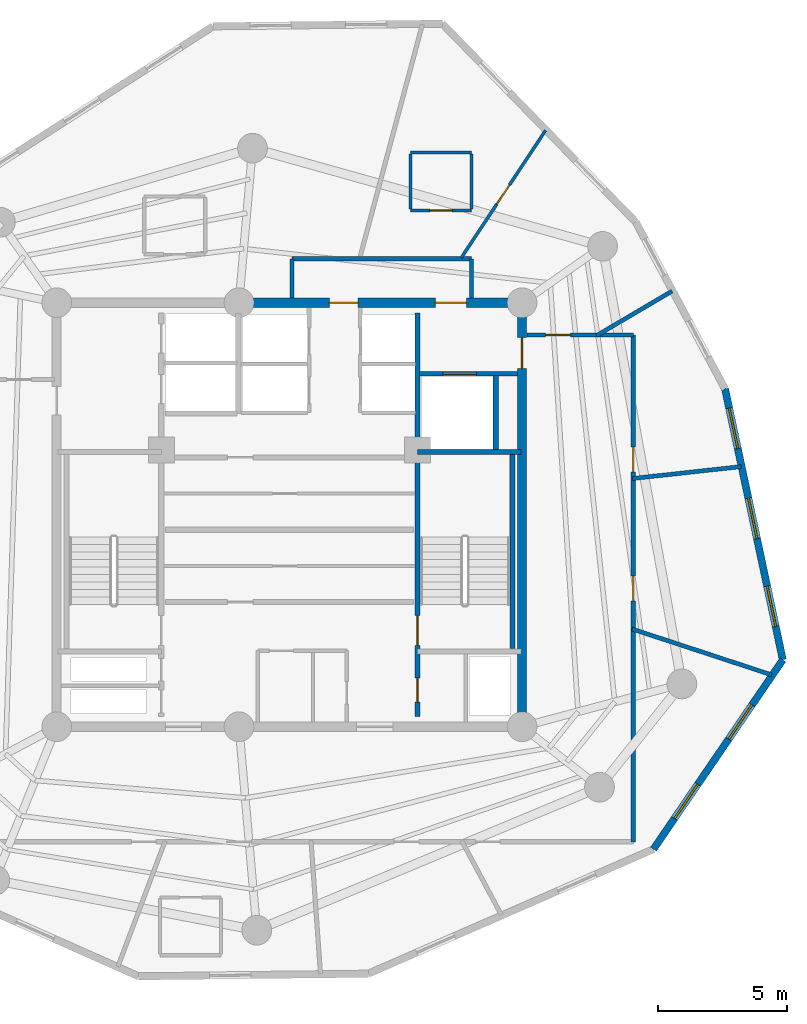
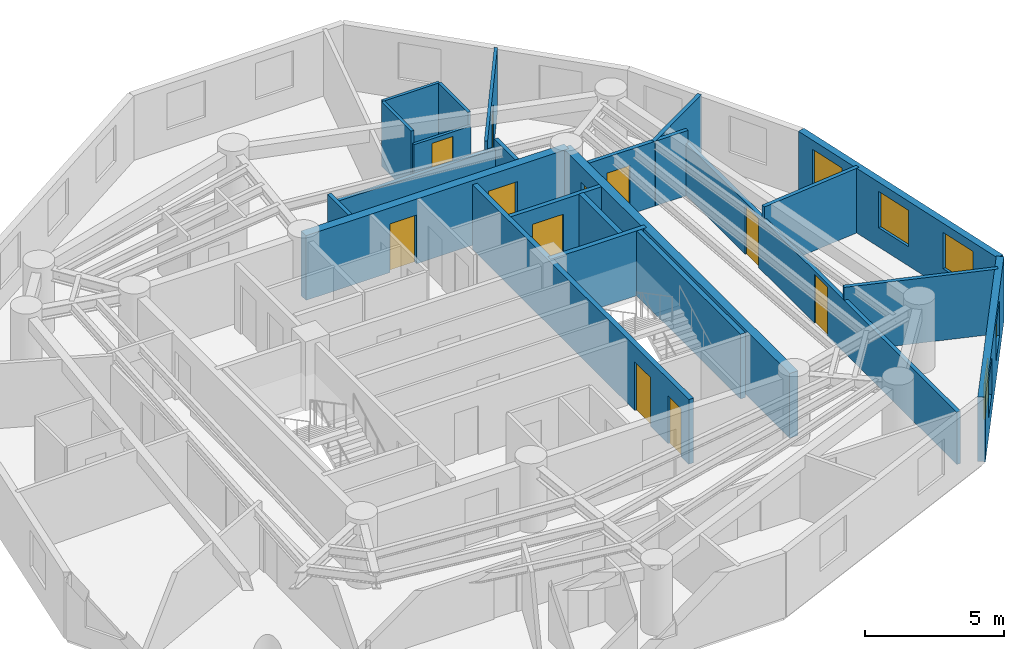
# One storey, part 5 of 7: 22 walls, 11 doors, 5 windows, 16 openings.
"""IFC4 building model written with IfcOpenShell, lengths in metres."""

from ifc_helpers import new_model, si_unit, direction, frame, frame_2d, origin, origin_with_axes, place, context, subcontext, project, spatial, rectangle, extrude, source, transform, mapped, material, layer, layer_set, type_object, element, fill, save


model = new_model("IFC4")

# Units and contexts
model_context = context("Model", 3, precision=1e-05, world=origin(), true_north=direction((0.0, 1.0)))
body_context = subcontext(model_context, "Body", "Model", "MODEL_VIEW")
ifc_project = project(units=[si_unit("LENGTHUNIT", "METRE"), si_unit("AREAUNIT", "SQUARE_METRE"), si_unit("VOLUMEUNIT", "CUBIC_METRE"), si_unit("PLANEANGLEUNIT", "RADIAN"), si_unit("MASSUNIT", "GRAM", prefix="KILO")], contexts=[model_context])

# Site, building, storey
site_placement = place(None, origin())
site = spatial("IfcSite", under=ifc_project, at=site_placement, CompositionType="ELEMENT")
building_placement = place(site_placement, origin())
building = spatial("IfcBuilding", under=site, at=building_placement, Name="Karkom Vertical University and Central Library", CompositionType="ELEMENT")
storey_placement = place(building_placement, frame((0.0, 0.0, 256.550048828125)))
storey = spatial("IfcBuildingStorey", under=building, at=storey_placement, Name="L76", CompositionType="ELEMENT", Elevation=256.550048828125)

# Wall, openings, windows
ifc_material_1 = material(Name="Brick-faced precast concrete C45/55", Category="masonry")
ifc_layer_1 = layer(ifc_material_1, 0.280029296875)
ifc_layer_set_1 = layer_set([ifc_layer_1], Name="Brick-faced precast concrete C45/55")
wall_type_1 = type_object("IfcWallType", Name="ENV-WL-BRK-280", PredefinedType="SOLIDWALL", material=ifc_layer_set_1)
wall_1_placement = place(storey_placement, frame((42.583740234375, 13.56298828125, 0.0), z_axis=(0.0, 0.0, 1.0), x_axis=(0.564007879962, 0.82576940567, 0.0)))
wall_1 = element("IfcWall", 1, at=wall_1_placement, inside=storey, type_object=wall_type_1, Name="Level 76 Brick-Faced Precast Facade Wall 05", PredefinedType="SOLIDWALL", context=body_context, shape_type="SweptSolid", body=[
    extrude(rectangle(XDim=8.870849609375, YDim=0.280029296875, at=frame_2d((4.435546875, 0.0))), origin(), (0.0, 0.0, 1.0), 2.849853515625),
])
opening_1_placement = place(wall_1_placement, frame((1.439208984375, 0.0, 0.85009765625)))
opening_1 = element("IfcOpeningElement", 2, at=opening_1_placement, cuts=wall_1, Name="Opening WN-10", PredefinedType="OPENING", context=body_context, shape_type="SweptSolid", body=[
    extrude(rectangle(XDim=1.60009765625, YDim=1.60009765625, at=frame_2d((0.800048828125, 0.800048828125))), frame((0.0, 0.14990234375, 0.0), z_axis=(0.0, -1.0, 0.0), x_axis=(1.0, 0.0, 0.0)), (0.0, 0.0, 1.0), 0.300048828125),
])
opening_2_placement = place(wall_1_placement, frame((5.1572265625, 0.0, 0.85009765625)))
opening_2 = element("IfcOpeningElement", 3, at=opening_2_placement, cuts=wall_1, Name="Opening WN-10", PredefinedType="OPENING", context=body_context, shape_type="SweptSolid", body=[
    extrude(rectangle(XDim=1.60009765625, YDim=1.60009765625, at=frame_2d((0.800048828125, 0.800048828125))), frame((0.0, 0.14990234375, 0.0), z_axis=(0.0, -1.0, 0.0), x_axis=(1.0, 0.0, 0.0)), (0.0, 0.0, 1.0), 0.300048828125),
])
ifc_material_2 = material(Name="Aluminium thermal-break frame with solar-control IGU", Category="aluminium")
window_type = type_object("IfcWindowType", Name="ENV-WIN-WN-10", PartitioningType="SINGLE_PANEL", PredefinedType="WINDOW", material=ifc_material_2)
shared_shape_1 = source(origin_with_axes(), body_context, "Body", "SweptSolid", [
    extrude(rectangle(XDim=1.60009765625, YDim=1.60009765625, at=frame_2d((0.800048828125, 0.800048828125))), frame((0.0, 0.030029296875, 0.0), z_axis=(0.0, -1.0, 0.0), x_axis=(1.0, 0.0, 0.0)), (0.0, 0.0, 1.0), 0.06005859375),
])
window_1_placement = place(opening_1_placement, origin())
window_1 = element("IfcWindow", 4, at=window_1_placement, inside=storey, type_object=window_type, Name="Level 76 Punched Window 5.1", OverallHeight=1.60009765625, OverallWidth=1.60009765625, PartitioningType="SINGLE_PANEL", PredefinedType="WINDOW", context=body_context, shape_type="MappedRepresentation", body=[
    mapped(shared_shape_1, transform((0.0, 0.0, 0.0), scale=1.0)),
])
fill(opening_1, window_1)
window_2_placement = place(opening_2_placement, origin())
window_2 = element("IfcWindow", 5, at=window_2_placement, inside=storey, type_object=window_type, Name="Level 76 Punched Window 5.2", OverallHeight=1.60009765625, OverallWidth=1.60009765625, PartitioningType="SINGLE_PANEL", PredefinedType="WINDOW", context=body_context, shape_type="MappedRepresentation", body=[
    mapped(shared_shape_1, transform((0.0, 0.0, 0.0), scale=1.0)),
])
fill(opening_2, window_2)

wall_2_placement = place(storey_placement, frame((47.5869140625, 20.88818359375, 0.0), z_axis=(0.0, 0.0, 1.0), x_axis=(-0.208460422932, 0.978030803232, 0.0)))
wall_2 = element("IfcWall", 6, at=wall_2_placement, inside=storey, type_object=wall_type_1, Name="Level 76 Brick-Faced Precast Facade Wall 06", PredefinedType="SOLIDWALL", context=body_context, shape_type="SweptSolid", body=[
    extrude(rectangle(XDim=10.7197265625, YDim=0.280029296875, at=frame_2d((5.35986328125, 0.0))), origin(), (0.0, 0.0, 1.0), 2.849853515625),
])
opening_3_placement = place(wall_2_placement, frame((1.3173828125, 0.0, 0.85009765625)))
opening_3 = element("IfcOpeningElement", 7, at=opening_3_placement, cuts=wall_2, Name="Opening WN-10", PredefinedType="OPENING", context=body_context, shape_type="SweptSolid", body=[
    extrude(rectangle(XDim=1.60009765625, YDim=1.60009765625, at=frame_2d((0.800048828125, 0.800048828125))), frame((0.0, 0.14990234375, 0.0), z_axis=(0.0, -1.0, 0.0), x_axis=(1.0, 0.0, 0.0)), (0.0, 0.0, 1.0), 0.300048828125),
])
opening_4_placement = place(wall_2_placement, frame((4.792236328125, 0.0, 0.85009765625)))
opening_4 = element("IfcOpeningElement", 8, at=opening_4_placement, cuts=wall_2, Name="Opening WN-10", PredefinedType="OPENING", context=body_context, shape_type="SweptSolid", body=[
    extrude(rectangle(XDim=1.60009765625, YDim=1.60009765625, at=frame_2d((0.800048828125, 0.800048828125))), frame((0.0, 0.14990234375, 0.0), z_axis=(0.0, -1.0, 0.0), x_axis=(1.0, 0.0, 0.0)), (0.0, 0.0, 1.0), 0.300048828125),
])
opening_5_placement = place(wall_2_placement, frame((8.3544921875, 0.0, 0.85009765625)))
opening_5 = element("IfcOpeningElement", 9, at=opening_5_placement, cuts=wall_2, Name="Opening WN-10", PredefinedType="OPENING", context=body_context, shape_type="SweptSolid", body=[
    extrude(rectangle(XDim=1.60009765625, YDim=1.60009765625, at=frame_2d((0.800048828125, 0.800048828125))), frame((0.0, 0.14990234375, 0.0), z_axis=(0.0, -1.0, 0.0), x_axis=(1.0, 0.0, 0.0)), (0.0, 0.0, 1.0), 0.300048828125),
])
window_3_placement = place(opening_3_placement, origin())
window_3 = element("IfcWindow", 10, at=window_3_placement, inside=storey, type_object=window_type, Name="Level 76 Punched Window 6.1", OverallHeight=1.60009765625, OverallWidth=1.60009765625, PartitioningType="SINGLE_PANEL", PredefinedType="WINDOW", context=body_context, shape_type="MappedRepresentation", body=[
    mapped(shared_shape_1, transform((0.0, 0.0, 0.0), scale=1.0)),
])
fill(opening_3, window_3)
window_4_placement = place(opening_4_placement, origin())
window_4 = element("IfcWindow", 11, at=window_4_placement, inside=storey, type_object=window_type, Name="Level 76 Punched Window 6.2", OverallHeight=1.60009765625, OverallWidth=1.60009765625, PartitioningType="SINGLE_PANEL", PredefinedType="WINDOW", context=body_context, shape_type="MappedRepresentation", body=[
    mapped(shared_shape_1, transform((0.0, 0.0, 0.0), scale=1.0)),
])
fill(opening_4, window_4)
window_5_placement = place(opening_5_placement, origin())
window_5 = element("IfcWindow", 12, at=window_5_placement, inside=storey, type_object=window_type, Name="Level 76 Punched Window 6.3", OverallHeight=1.60009765625, OverallWidth=1.60009765625, PartitioningType="SINGLE_PANEL", PredefinedType="WINDOW", context=body_context, shape_type="MappedRepresentation", body=[
    mapped(shared_shape_1, transform((0.0, 0.0, 0.0), scale=1.0)),
])
fill(opening_5, window_5)

# Wall, openings, doors
ifc_material_3 = material(Name="Insulated metal-stud drywall 160mm", Category="gypsum")
ifc_layer_2 = layer(ifc_material_3, 0.159912109375)
ifc_layer_set_2 = layer_set([ifc_layer_2], Name="Insulated metal-stud drywall 160mm")
wall_type_2 = type_object("IfcWallType", Name="INT-WL-COR-160", PredefinedType="PARTITIONING", material=ifc_layer_set_2)
wall_3_placement = place(storey_placement, frame((41.800048828125, 33.449951171875, 0.0), z_axis=(0.0, 0.0, 1.0), x_axis=(0.0, -1.0, 0.0)))
wall_3 = element("IfcWall", 13, at=wall_3_placement, inside=storey, type_object=wall_type_2, Name="Level 76 Interior Partition Wall L76-CORW-CW-005", PredefinedType="PARTITIONING", context=body_context, shape_type="SweptSolid", body=[
    extrude(rectangle(XDim=19.599853515625, YDim=0.159912109375, at=frame_2d((9.7998046875, 0.0))), origin(), (0.0, 0.0, 1.0), 2.300048828125),
])
opening_6_placement = place(wall_3_placement, frame((9.324951171875, 0.0, 0.0)))
opening_6 = element("IfcOpeningElement", 14, at=opening_6_placement, cuts=wall_3, Name="Opening FD-RM2", PredefinedType="OPENING", context=body_context, shape_type="SweptSolid", body=[
    extrude(rectangle(XDim=0.9599609375, YDim=2.14990234375, at=frame_2d((0.47998046875, 1.074951171875))), frame((0.0, 0.08984375, 0.0), z_axis=(0.0, -1.0, 0.0), x_axis=(1.0, 0.0, 0.0)), (0.0, 0.0, 1.0), 0.179931640625),
])
opening_7_placement = place(wall_3_placement, frame((4.3349609375, 0.0, 0.0)))
opening_7 = element("IfcOpeningElement", 15, at=opening_7_placement, cuts=wall_3, Name="Opening FD-RM2", PredefinedType="OPENING", context=body_context, shape_type="SweptSolid", body=[
    extrude(rectangle(XDim=0.9599609375, YDim=2.14990234375, at=frame_2d((0.47998046875, 1.074951171875))), frame((0.0, 0.08984375, 0.0), z_axis=(0.0, -1.0, 0.0), x_axis=(1.0, 0.0, 0.0)), (0.0, 0.0, 1.0), 0.179931640625),
])
ifc_material_4 = material(Name="Fire-rated oak veneer door", Category="wood")
door_type_1 = type_object("IfcDoorType", Name="INT-DR-FRM2", OperationType="NOTDEFINED", PredefinedType="DOOR", material=ifc_material_4)
shared_shape_2 = source(origin_with_axes(), body_context, "Body", "SweptSolid", [
    extrude(rectangle(XDim=0.9599609375, YDim=2.14990234375, at=frame_2d((0.47998046875, 1.074951171875))), frame((0.0, 0.02490234375, 0.0), z_axis=(0.0, -1.0, 0.0), x_axis=(1.0, 0.0, 0.0)), (0.0, 0.0, 1.0), 0.050048828125),
])
door_1_placement = place(opening_6_placement, origin())
door_1 = element("IfcDoor", 16, at=door_1_placement, inside=storey, type_object=door_type_1, Name="Level 76 Room Entry Door 306", OperationType="SINGLE_SWING_LEFT", OverallHeight=2.14990234375, OverallWidth=0.9599609375, PredefinedType="DOOR", context=body_context, shape_type="MappedRepresentation", body=[
    mapped(shared_shape_2, transform((0.0, 0.0, 0.0), scale=1.0)),
])
fill(opening_6, door_1)
door_2_placement = place(opening_7_placement, origin())
door_2 = element("IfcDoor", 17, at=door_2_placement, inside=storey, type_object=door_type_1, Name="Level 76 Room Entry Door 307", OperationType="SINGLE_SWING_RIGHT", OverallHeight=2.14990234375, OverallWidth=0.9599609375, PredefinedType="DOOR", context=body_context, shape_type="MappedRepresentation", body=[
    mapped(shared_shape_2, transform((0.0, 0.0, 0.0), scale=1.0)),
])
fill(opening_7, door_2)

# Walls
wall_4_placement = place(storey_placement, frame((28.60009765625, 36.39990234375, 0.0), z_axis=(0.0, 0.0, 1.0), x_axis=(1.0, 0.0, 0.0)))
element("IfcWall", 18, at=wall_4_placement, inside=storey, type_object=wall_type_2, Name="Level 76 Interior Partition Wall L76-CORW-CW-007", PredefinedType="PARTITIONING", context=body_context, shape_type="SweptSolid", body=[
    extrude(rectangle(XDim=6.949951171875, YDim=0.159912109375, at=frame_2d((3.47509765625, 0.0))), origin(), (0.0, 0.0, 1.0), 2.449951171875),
])
wall_5_placement = place(storey_placement, frame((41.75732421875, 22.07958984375, 0.0), z_axis=(0.0, 0.0, 1.0), x_axis=(0.949994063859, -0.312267959664, 0.0)))
element("IfcWall", 19, at=wall_5_placement, inside=storey, type_object=wall_type_2, Name="Level 76 Interior Partition Wall L76-PW-009", PredefinedType="PARTITIONING", context=body_context, shape_type="SweptSolid", body=[
    extrude(rectangle(XDim=5.682373046875, YDim=0.159912109375, at=frame_2d((2.84130859375, 0.0))), origin(), (0.0, 0.0, 1.0), 2.849853515625),
])
wall_6_placement = place(storey_placement, frame((41.770263671875, 27.8994140625, 0.0), z_axis=(0.0, 0.0, 1.0), x_axis=(0.994007182885, 0.109314776553, 0.0)))
element("IfcWall", 20, at=wall_6_placement, inside=storey, type_object=wall_type_2, Name="Level 76 Interior Partition Wall L76-PW-010", PredefinedType="PARTITIONING", context=body_context, shape_type="SweptSolid", body=[
    extrude(rectangle(XDim=4.223388671875, YDim=0.159912109375, at=frame_2d((2.11181640625, 0.0))), origin(), (0.0, 0.0, 1.0), 2.849853515625),
])

# Wall, opening, door
wall_7_placement = place(storey_placement, frame((37.681884765625, 33.449951171875, 0.0), z_axis=(0.0, 0.0, 1.0), x_axis=(1.0, 0.0, 0.0)))
wall_7 = element("IfcWall", 21, at=wall_7_placement, inside=storey, type_object=wall_type_2, Name="Level 76 Interior Partition Wall L76-CORW-CW-004", PredefinedType="PARTITIONING", context=body_context, shape_type="SweptSolid", body=[
    extrude(rectangle(XDim=4.1181640625, YDim=0.159912109375, at=frame_2d((2.05908203125, 0.0))), origin(), (0.0, 0.0, 1.0), 2.849853515625),
])
opening_8_placement = place(wall_7_placement, frame((0.733154296875, 0.0, 0.0)))
opening_8 = element("IfcOpeningElement", 22, at=opening_8_placement, cuts=wall_7, Name="Opening FD-RM2", PredefinedType="OPENING", context=body_context, shape_type="SweptSolid", body=[
    extrude(rectangle(XDim=0.9599609375, YDim=2.14990234375, at=frame_2d((0.47998046875, 1.074951171875))), frame((0.0, 0.08984375, 0.0), z_axis=(0.0, -1.0, 0.0), x_axis=(1.0, 0.0, 0.0)), (0.0, 0.0, 1.0), 0.179931640625),
])
door_3_placement = place(opening_8_placement, origin())
door_3 = element("IfcDoor", 23, at=door_3_placement, inside=storey, type_object=door_type_1, Name="Level 76 Room Entry Door 416", OperationType="SINGLE_SWING_LEFT", OverallHeight=2.14990234375, OverallWidth=0.9599609375, PredefinedType="DOOR", context=body_context, shape_type="MappedRepresentation", body=[
    mapped(shared_shape_2, transform((0.0, 0.0, 0.0), scale=1.0)),
])
fill(opening_8, door_3)

# Walls
wall_8_placement = place(storey_placement, frame((40.378173828125, 33.42724609375, 0.0), z_axis=(0.0, 0.0, 1.0), x_axis=(0.861628913846, 0.507538781597, 0.0)))
element("IfcWall", 24, at=wall_8_placement, inside=storey, type_object=wall_type_2, Name="Level 76 Interior Partition Wall L76-PW-011", PredefinedType="PARTITIONING", context=body_context, shape_type="SweptSolid", body=[
    extrude(rectangle(XDim=3.3935546875, YDim=0.159912109375, at=frame_2d((1.69677734375, 0.0))), origin(), (0.0, 0.0, 1.0), 2.849853515625),
])
for number, where, z_axis, x_axis, name in (
    (25, (28.60009765625, 34.882080078125, 0.0), (0.0, 0.0, 1.0), (0.0, 1.0, 0.0), "Level 76 Interior Partition Wall L76-CORW-CW-006"),
    (26, (35.550048828125, 36.39990234375, 0.0), (0.0, 0.0, 1.0), (0.0, -1.0, 0.0), "Level 76 Interior Partition Wall L76-CORW-CW-008"),
):
    element("IfcWall", number, at=place(storey_placement, frame(where, z_axis=z_axis, x_axis=x_axis)), inside=storey, type_object=wall_type_2, Name=name, PredefinedType="PARTITIONING", context=body_context, shape_type="SweptSolid", body=[
        extrude(rectangle(XDim=1.517822265625, YDim=0.159912109375, at=frame_2d((0.7587890625, 0.0))), origin(), (0.0, 0.0, 1.0), 2.849853515625),
    ])

# Wall, opening, door
ifc_material_5 = material(Name="Moisture-resistant drywall 120mm", Category="gypsum")
ifc_layer_3 = layer(ifc_material_5, 0.1201171875)
ifc_layer_set_3 = layer_set([ifc_layer_3], Name="Moisture-resistant drywall 120mm")
wall_type_3 = type_object("IfcWallType", Name="INT-WL-INT-120", PredefinedType="PARTITIONING", material=ifc_layer_set_3)
wall_9_placement = place(storey_placement, frame((35.151123046875, 36.4423828125, 0.0), z_axis=(0.0, 0.0, 1.0), x_axis=(0.551852093065, 0.833942004806, 0.0)))
wall_9 = element("IfcWall", 27, at=wall_9_placement, inside=storey, type_object=wall_type_3, Name="Level 76 Interior Partition Wall L76-APT-09-DIV", PredefinedType="PARTITIONING", context=body_context, shape_type="SweptSolid", body=[
    extrude(rectangle(XDim=5.901611328125, YDim=0.1201171875, at=frame_2d((2.95068359375, 0.0))), origin(), (0.0, 0.0, 1.0), 2.849853515625),
])
opening_9_placement = place(wall_9_placement, frame((2.4755859375, 0.0, 0.0)))
opening_9 = element("IfcOpeningElement", 28, at=opening_9_placement, cuts=wall_9, Name="Opening D-INT1", PredefinedType="OPENING", context=body_context, shape_type="SweptSolid", body=[
    extrude(rectangle(XDim=0.89990234375, YDim=2.10009765625, at=frame_2d((0.449951171875, 1.050048828125))), frame((0.0, 0.070068359375, 0.0), z_axis=(0.0, -1.0, 0.0), x_axis=(1.0, 0.0, 0.0)), (0.0, 0.0, 1.0), 0.14013671875),
])
ifc_material_6 = material(Name="Painted solid-core timber door", Category="wood")
door_type_2 = type_object("IfcDoorType", Name="INT-DR-INT1", OperationType="NOTDEFINED", PredefinedType="DOOR", material=ifc_material_6)
shared_shape_3 = source(origin_with_axes(), body_context, "Body", "SweptSolid", [
    extrude(rectangle(XDim=0.89990234375, YDim=2.10009765625, at=frame_2d((0.449951171875, 1.050048828125))), frame((0.0, 0.02490234375, 0.0), z_axis=(0.0, -1.0, 0.0), x_axis=(1.0, 0.0, 0.0)), (0.0, 0.0, 1.0), 0.050048828125),
])
door_4_placement = place(opening_9_placement, origin())
door_4 = element("IfcDoor", 29, at=door_4_placement, inside=storey, type_object=door_type_2, Name="Level 76 Flat L76-09 Internal Door", OperationType="SINGLE_SWING_RIGHT", OverallHeight=2.10009765625, OverallWidth=0.89990234375, PredefinedType="DOOR", context=body_context, shape_type="MappedRepresentation", body=[
    mapped(shared_shape_3, transform((0.0, 0.0, 0.0), scale=1.0)),
])
fill(opening_9, door_4)

ifc_layer_4 = layer(ifc_material_5, 0.1201171875)
ifc_layer_set_4 = layer_set([ifc_layer_4], Name="Moisture-resistant drywall 120mm")
wall_type_4 = type_object("IfcWallType", Name="INT-WL-INT-120F", PredefinedType="PARTITIONING", material=ifc_layer_set_4)
wall_10_placement = place(storey_placement, frame((33.181884765625, 38.27001953125, 0.0), z_axis=(0.0, 0.0, 1.0), x_axis=(1.0, 0.0, 0.0)))
wall_10 = element("IfcWall", 30, at=wall_10_placement, inside=storey, type_object=wall_type_4, Name="Level 76 Interior Partition Wall L76-ENS-48-S", PredefinedType="PARTITIONING", context=body_context, shape_type="SweptSolid", body=[
    extrude(rectangle(XDim=2.360107421875, YDim=0.1201171875, at=frame_2d((1.18017578125, 0.0))), origin(), (0.0, 0.0, 1.0), 2.300048828125),
])
opening_10_placement = place(wall_10_placement, frame((0.75, 0.0, 0.0)))
opening_10 = element("IfcOpeningElement", 31, at=opening_10_placement, cuts=wall_10, Name="Opening D-BATH", PredefinedType="OPENING", context=body_context, shape_type="SweptSolid", body=[
    extrude(rectangle(XDim=0.860107421875, YDim=2.10009765625, at=frame_2d((0.43017578125, 1.050048828125))), frame((0.0, 0.070068359375, 0.0), z_axis=(0.0, -1.0, 0.0), x_axis=(1.0, 0.0, 0.0)), (0.0, 0.0, 1.0), 0.14013671875),
])
ifc_material_7 = material(Name="Moisture-resistant oak door", Category="wood")
door_type_3 = type_object("IfcDoorType", Name="INT-DR-BATH", OperationType="NOTDEFINED", PredefinedType="DOOR", material=ifc_material_7)
shared_shape_4 = source(origin_with_axes(), body_context, "Body", "SweptSolid", [
    extrude(rectangle(XDim=0.860107421875, YDim=2.10009765625, at=frame_2d((0.43017578125, 1.050048828125))), frame((0.0, 0.02490234375, 0.0), z_axis=(0.0, -1.0, 0.0), x_axis=(1.0, 0.0, 0.0)), (0.0, 0.0, 1.0), 0.050048828125),
])
door_5_placement = place(opening_10_placement, origin())
door_5 = element("IfcDoor", 32, at=door_5_placement, inside=storey, type_object=door_type_3, Name="Level 76 En-Suite Bathroom Door 48", OperationType="SINGLE_SWING_LEFT", OverallHeight=2.10009765625, OverallWidth=0.860107421875, PredefinedType="DOOR", context=body_context, shape_type="MappedRepresentation", body=[
    mapped(shared_shape_4, transform((0.0, 0.0, 0.0), scale=1.0)),
])
fill(opening_10, door_5)

# Walls
wall_11_placement = place(storey_placement, frame((35.5419921875, 40.510009765625, 0.0), z_axis=(0.0, 0.0, 1.0), x_axis=(-1.0, 0.0, 0.0)))
element("IfcWall", 33, at=wall_11_placement, inside=storey, type_object=wall_type_4, Name="Level 76 Interior Partition Wall L76-ENS-48-N", PredefinedType="PARTITIONING", context=body_context, shape_type="SweptSolid", body=[
    extrude(rectangle(XDim=2.360107421875, YDim=0.1201171875, at=frame_2d((1.18017578125, 0.0))), origin(), (0.0, 0.0, 1.0), 2.849853515625),
])
for number, where, z_axis, x_axis, name in (
    (34, (35.5419921875, 38.320068359375, 0.0), (0.0, 0.0, 1.0), (0.0, 1.0, 0.0), "Level 76 Interior Partition Wall L76-ENS-48-E"),
    (35, (33.181884765625, 40.4599609375, 0.0), (0.0, 0.0, 1.0), (0.0, -1.0, 0.0), "Level 76 Interior Partition Wall L76-ENS-48-W"),
):
    element("IfcWall", number, at=place(storey_placement, frame(where, z_axis=z_axis, x_axis=x_axis)), inside=storey, type_object=wall_type_4, Name=name, PredefinedType="PARTITIONING", context=body_context, shape_type="SweptSolid", body=[
        extrude(rectangle(XDim=2.139892578125, YDim=0.1201171875, at=frame_2d((1.06982421875, 0.0))), origin(), (0.0, 0.0, 1.0), 2.849853515625),
    ])

# Wall, opening, door
ifc_material_8 = material(Name="Twin-stud acoustic drywall 180mm", Category="gypsum")
ifc_layer_5 = layer(ifc_material_8, 0.179931640625)
ifc_layer_set_5 = layer_set([ifc_layer_5], Name="Twin-stud acoustic drywall 180mm")
wall_type_5 = type_object("IfcWallType", Name="INT-WL-TEN-180F", PredefinedType="PARTITIONING", material=ifc_layer_set_5)
wall_12_placement = place(storey_placement, frame((33.534912109375, 31.949951171875, 0.0), z_axis=(0.0, 0.0, 1.0), x_axis=(1.0, 0.0, 0.0)))
wall_12 = element("IfcWall", 36, at=wall_12_placement, inside=storey, type_object=wall_type_5, Name="Level 76 Interior Partition Wall L76-CW-SVL-N", PredefinedType="PARTITIONING", context=body_context, shape_type="SweptSolid", body=[
    extrude(rectangle(XDim=3.783935546875, YDim=0.179931640625, at=frame_2d((1.89208984375, 0.0))), origin(), (0.0, 0.0, 1.0), 2.849853515625),
])
opening_11_placement = place(wall_12_placement, frame((0.89990234375, 0.0, 0.0)))
opening_11 = element("IfcOpeningElement", 37, at=opening_11_placement, cuts=wall_12, Name="Opening LD-SV1", PredefinedType="OPENING", context=body_context, shape_type="SweptSolid", body=[
    extrude(rectangle(XDim=1.300048828125, YDim=2.199951171875, at=frame_2d((0.64990234375, 1.10009765625))), frame((0.0, 0.10009765625, 0.0), z_axis=(0.0, -1.0, 0.0), x_axis=(1.0, 0.0, 0.0)), (0.0, 0.0, 1.0), 0.199951171875),
])
ifc_material_9 = material(Name="Brushed stainless-steel landing door", Category="steel")
door_type_4 = type_object("IfcDoorType", Name="INT-DR-LD-SV1", OperationType="SLIDING_TO_LEFT", PredefinedType="DOOR", material=ifc_material_9)
shared_shape_5 = source(origin_with_axes(), body_context, "Body", "SweptSolid", [
    extrude(rectangle(XDim=1.300048828125, YDim=2.199951171875, at=frame_2d((0.64990234375, 1.10009765625))), frame((0.0, 0.02490234375, 0.0), z_axis=(0.0, -1.0, 0.0), x_axis=(1.0, 0.0, 0.0)), (0.0, 0.0, 1.0), 0.050048828125),
])
door_6_placement = place(opening_11_placement, origin())
door_6 = element("IfcDoor", 38, at=door_6_placement, inside=storey, type_object=door_type_4, Name="Level 76 Service Lift Landing Door LD-SV1", OperationType="SLIDING_TO_LEFT", OverallHeight=2.199951171875, OverallWidth=1.300048828125, PredefinedType="DOOR", context=body_context, shape_type="MappedRepresentation", body=[
    mapped(shared_shape_5, transform((0.0, 0.0, 0.0), scale=1.0)),
])
fill(opening_11, door_6)

ifc_material_10 = material(Name="Concrete C45/55", Category="concrete")
ifc_layer_6 = layer(ifc_material_10, 0.35009765625)
ifc_layer_set_6 = layer_set([ifc_layer_6], Name="Concrete C45/55")
wall_type_6 = type_object("IfcWallType", Name="STR-WL-CW-350", PredefinedType="SHEAR", material=ifc_layer_set_6)
wall_13_placement = place(storey_placement, frame((37.5, 18.300048828125, 0.0), z_axis=(0.0, 0.0, 1.0), x_axis=(0.0, 1.0, 0.0)))
wall_13 = element("IfcWall", 39, at=wall_13_placement, inside=storey, type_object=wall_type_6, Name="Level 76 Central Core Shear Wall EW", PredefinedType="SHEAR", context=body_context, shape_type="SweptSolid", body=[
    extrude(rectangle(XDim=16.39990234375, YDim=0.35009765625, at=frame_2d((8.199951171875, 0.0))), origin(), (0.0, 0.0, 1.0), 2.849853515625),
])
opening_12_placement = place(wall_13_placement, frame((13.85009765625, 0.0, 0.0)))
opening_12 = element("IfcOpeningElement", 40, at=opening_12_placement, cuts=wall_13, Name="Opening FD-SUB1", PredefinedType="OPENING", context=body_context, shape_type="SweptSolid", body=[
    extrude(rectangle(XDim=1.199951171875, YDim=2.14990234375, at=frame_2d((0.60009765625, 1.074951171875))), frame((0.0, 0.18505859375, 0.0), z_axis=(0.0, -1.0, 0.0), x_axis=(1.0, 0.0, 0.0)), (0.0, 0.0, 1.0), 0.3701171875),
])
ifc_material_11 = material(Name="Painted steel fire door", Category="steel")
door_type_5 = type_object("IfcDoorType", Name="INT-DR-SUB1", OperationType="NOTDEFINED", PredefinedType="DOOR", material=ifc_material_11)
shared_shape_6 = source(origin_with_axes(), body_context, "Body", "SweptSolid", [
    extrude(rectangle(XDim=1.199951171875, YDim=2.14990234375, at=frame_2d((0.60009765625, 1.074951171875))), frame((0.0, 0.02490234375, 0.0), z_axis=(0.0, -1.0, 0.0), x_axis=(1.0, 0.0, 0.0)), (0.0, 0.0, 1.0), 0.050048828125),
])
door_7_placement = place(opening_12_placement, origin())
door_7 = element("IfcDoor", 41, at=door_7_placement, inside=storey, type_object=door_type_5, Name="Level 76 East Corridor Service Lobby Door", OperationType="SINGLE_SWING_LEFT", OverallHeight=2.14990234375, OverallWidth=1.199951171875, PredefinedType="DOOR", context=body_context, shape_type="MappedRepresentation", body=[
    mapped(shared_shape_6, transform((0.0, 0.0, 0.0), scale=1.0)),
])
fill(opening_12, door_7)

# Wall, openings, doors
wall_14_placement = place(storey_placement, frame((37.5, 34.699951171875, 0.0), z_axis=(0.0, 0.0, 1.0), x_axis=(-1.0, 0.0, 0.0)))
wall_14 = element("IfcWall", 42, at=wall_14_placement, inside=storey, type_object=wall_type_6, Name="Level 76 Central Core Shear Wall NW1", PredefinedType="SHEAR", context=body_context, shape_type="SweptSolid", body=[
    extrude(rectangle(XDim=10.949951171875, YDim=0.35009765625, at=frame_2d((5.47509765625, 0.0))), origin(), (0.0, 0.0, 1.0), 2.849853515625),
])
opening_13_placement = place(wall_14_placement, frame((2.14990234375, 0.0, 0.0)))
opening_13 = element("IfcOpeningElement", 43, at=opening_13_placement, cuts=wall_14, Name="Opening FD-SUB1", PredefinedType="OPENING", context=body_context, shape_type="SweptSolid", body=[
    extrude(rectangle(XDim=1.199951171875, YDim=2.14990234375, at=frame_2d((0.60009765625, 1.074951171875))), frame((0.0, 0.18505859375, 0.0), z_axis=(0.0, -1.0, 0.0), x_axis=(1.0, 0.0, 0.0)), (0.0, 0.0, 1.0), 0.3701171875),
])
opening_14_placement = place(wall_14_placement, frame((6.35009765625, 0.0, 0.0)))
opening_14 = element("IfcOpeningElement", 44, at=opening_14_placement, cuts=wall_14, Name="Opening FD-FFL", PredefinedType="OPENING", context=body_context, shape_type="SweptSolid", body=[
    extrude(rectangle(XDim=1.10009765625, YDim=2.14990234375, at=frame_2d((0.550048828125, 1.074951171875))), frame((0.0, 0.18505859375, 0.0), z_axis=(0.0, -1.0, 0.0), x_axis=(1.0, 0.0, 0.0)), (0.0, 0.0, 1.0), 0.3701171875),
])
ifc_material_12 = material(Name="Painted steel smoke-seal fire door", Category="steel")
door_type_6 = type_object("IfcDoorType", Name="INT-DR-FFL", OperationType="NOTDEFINED", PredefinedType="DOOR", material=ifc_material_12)
shared_shape_7 = source(origin_with_axes(), body_context, "Body", "SweptSolid", [
    extrude(rectangle(XDim=1.10009765625, YDim=2.14990234375, at=frame_2d((0.550048828125, 1.074951171875))), frame((0.0, 0.02490234375, 0.0), z_axis=(0.0, -1.0, 0.0), x_axis=(1.0, 0.0, 0.0)), (0.0, 0.0, 1.0), 0.050048828125),
])
door_8_placement = place(opening_14_placement, origin())
door_8 = element("IfcDoor", 45, at=door_8_placement, inside=storey, type_object=door_type_6, Name="Level 76 North Core Lobby Exit Door", OperationType="SINGLE_SWING_RIGHT", OverallHeight=2.14990234375, OverallWidth=1.10009765625, PredefinedType="DOOR", context=body_context, shape_type="MappedRepresentation", body=[
    mapped(shared_shape_7, transform((0.0, 0.0, 0.0), scale=1.0)),
])
fill(opening_14, door_8)
door_9_placement = place(opening_13_placement, origin())
door_9 = element("IfcDoor", 46, at=door_9_placement, inside=storey, type_object=door_type_5, Name="Level 76 Service Lobby Fire Door", OperationType="SINGLE_SWING_RIGHT", OverallHeight=2.14990234375, OverallWidth=1.199951171875, PredefinedType="DOOR", context=body_context, shape_type="MappedRepresentation", body=[
    mapped(shared_shape_6, transform((0.0, 0.0, 0.0), scale=1.0)),
])
fill(opening_13, door_9)

ifc_layer_7 = layer(ifc_material_10, 0.199951171875)
ifc_layer_set_7 = layer_set([ifc_layer_7], Name="Concrete C45/55")
wall_type_7 = type_object("IfcWallType", Name="STR-WL-ST-200", PredefinedType="SHEAR", material=ifc_layer_set_7)
wall_15_placement = place(storey_placement, frame((33.455078125, 18.699951171875, 0.0), z_axis=(0.0, 0.0, 1.0), x_axis=(0.0, 1.0, 0.0)))
wall_15 = element("IfcWall", 47, at=wall_15_placement, inside=storey, type_object=wall_type_7, Name="Level 76 Core Shaft Wall L76-CW-ST2-W", PredefinedType="SHEAR", context=body_context, shape_type="SweptSolid", body=[
    extrude(rectangle(XDim=15.60009765625, YDim=0.199951171875, at=frame_2d((7.800048828125, 0.0))), origin(), (0.0, 0.0, 1.0), 2.849853515625),
])
opening_15_placement = place(wall_15_placement, frame((2.75, 0.0, 0.0)))
opening_15 = element("IfcOpeningElement", 48, at=opening_15_placement, cuts=wall_15, Name="Opening FD-ST1", PredefinedType="OPENING", context=body_context, shape_type="SweptSolid", body=[
    extrude(rectangle(XDim=1.14990234375, YDim=2.14990234375, at=frame_2d((0.574951171875, 1.074951171875))), frame((0.0, 0.10986328125, 0.0), z_axis=(0.0, -1.0, 0.0), x_axis=(1.0, 0.0, 0.0)), (0.0, 0.0, 1.0), 0.219970703125),
])
opening_16_placement = place(wall_15_placement, frame((0.550048828125, 0.0, 0.0)))
opening_16 = element("IfcOpeningElement", 49, at=opening_16_placement, cuts=wall_15, Name="Opening D-WC1", PredefinedType="OPENING", context=body_context, shape_type="SweptSolid", body=[
    extrude(rectangle(XDim=0.93994140625, YDim=2.10009765625, at=frame_2d((0.469970703125, 1.050048828125))), frame((0.0, 0.10986328125, 0.0), z_axis=(0.0, -1.0, 0.0), x_axis=(1.0, 0.0, 0.0)), (0.0, 0.0, 1.0), 0.219970703125),
])
ifc_material_13 = material(Name="Painted steel acoustic fire door", Category="steel")
door_type_7 = type_object("IfcDoorType", Name="INT-DR-ST1", OperationType="NOTDEFINED", PredefinedType="DOOR", material=ifc_material_13)
shared_shape_8 = source(origin_with_axes(), body_context, "Body", "SweptSolid", [
    extrude(rectangle(XDim=1.14990234375, YDim=2.14990234375, at=frame_2d((0.574951171875, 1.074951171875))), frame((0.0, 0.02490234375, 0.0), z_axis=(0.0, -1.0, 0.0), x_axis=(1.0, 0.0, 0.0)), (0.0, 0.0, 1.0), 0.050048828125),
])
door_10_placement = place(opening_15_placement, origin())
door_10 = element("IfcDoor", 50, at=door_10_placement, inside=storey, type_object=door_type_7, Name="Level 76 Stair ST-2 Fire Door", OperationType="SINGLE_SWING_LEFT", OverallHeight=2.14990234375, OverallWidth=1.14990234375, PredefinedType="DOOR", context=body_context, shape_type="MappedRepresentation", body=[
    mapped(shared_shape_8, transform((0.0, 0.0, 0.0), scale=1.0)),
])
fill(opening_15, door_10)
ifc_material_14 = material(Name="Fire-rated laminate moisture-resistant door", Category="wood")
door_type_8 = type_object("IfcDoorType", Name="INT-DR-WC1", OperationType="NOTDEFINED", PredefinedType="DOOR", material=ifc_material_14)
shared_shape_9 = source(origin_with_axes(), body_context, "Body", "SweptSolid", [
    extrude(rectangle(XDim=0.93994140625, YDim=2.10009765625, at=frame_2d((0.469970703125, 1.050048828125))), frame((0.0, 0.02490234375, 0.0), z_axis=(0.0, -1.0, 0.0), x_axis=(1.0, 0.0, 0.0)), (0.0, 0.0, 1.0), 0.050048828125),
])
door_11_placement = place(opening_16_placement, origin())
door_11 = element("IfcDoor", 51, at=door_11_placement, inside=storey, type_object=door_type_8, Name="Level 76 Accessible WC Door", OperationType="SINGLE_SWING_LEFT", OverallHeight=2.10009765625, OverallWidth=0.93994140625, PredefinedType="DOOR", context=body_context, shape_type="MappedRepresentation", body=[
    mapped(shared_shape_9, transform((0.0, 0.0, 0.0), scale=1.0)),
])
fill(opening_16, door_11)

# Walls
wall_16_placement = place(storey_placement, frame((37.125, 21.320068359375, 0.0), z_axis=(0.0, 0.0, 1.0), x_axis=(0.0, 1.0, 0.0)))
element("IfcWall", 52, at=wall_16_placement, inside=storey, type_object=wall_type_7, Name="Level 76 Core Shaft Wall L76-CW-ST2-E", PredefinedType="SHEAR", context=body_context, shape_type="SweptSolid", body=[
    extrude(rectangle(XDim=7.5, YDim=0.199951171875, at=frame_2d((3.75, 0.0))), origin(), (0.0, 0.0, 1.0), 2.849853515625),
])
wall_17_placement = place(storey_placement, frame((33.455078125, 28.925048828125, 0.0), z_axis=(0.0, 0.0, 1.0), x_axis=(1.0, 0.0, 0.0)))
element("IfcWall", 53, at=wall_17_placement, inside=storey, type_object=wall_type_7, Name="Level 76 Core Shaft Wall L76-CW-ST2-N", PredefinedType="SHEAR", context=body_context, shape_type="SweptSolid", body=[
    extrude(rectangle(XDim=3.994873046875, YDim=0.199951171875, at=frame_2d((1.99755859375, 0.0))), origin(), (0.0, 0.0, 1.0), 2.849853515625),
])
wall_18_placement = place(storey_placement, frame((36.47998046875, 29.02001953125, 0.0), z_axis=(0.0, 0.0, 1.0), x_axis=(0.0, 1.0, 0.0)))
element("IfcWall", 54, at=wall_18_placement, inside=storey, type_object=wall_type_7, Name="Level 76 Core Shaft Wall L76-CW-SVL-E", PredefinedType="SHEAR", context=body_context, shape_type="SweptSolid", body=[
    extrude(rectangle(XDim=2.85986328125, YDim=0.199951171875, at=frame_2d((1.429931640625, 0.0))), origin(), (0.0, 0.0, 1.0), 2.849853515625),
])

save(model, "model.ifc")
